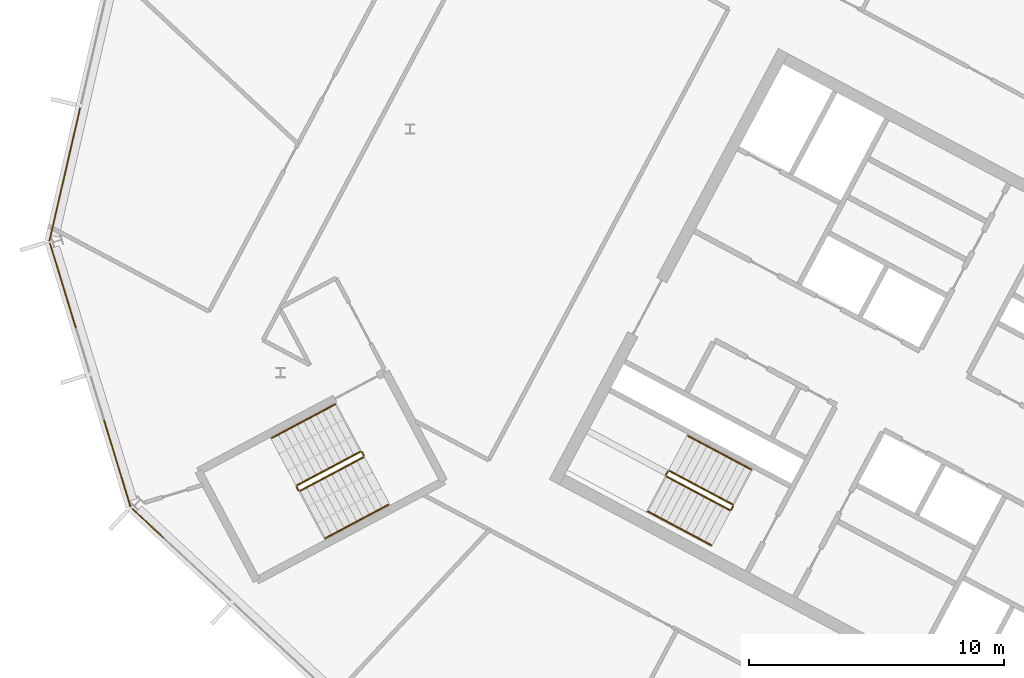
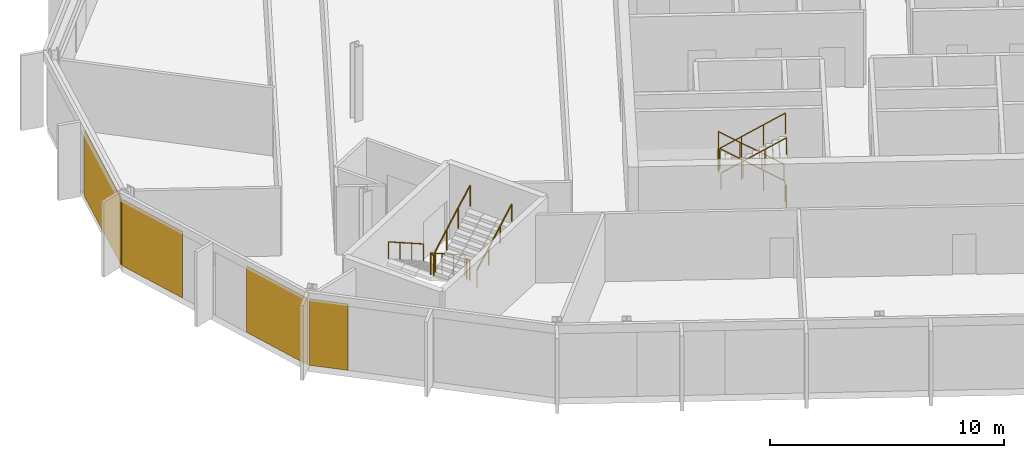
# One storey, part 21 of 26: 12 railings, 4 coverings, 3 elements without a shape of their own.
"""IFC4 building model written with IfcOpenShell, lengths in metres."""

import ifcopenshell
import ifcopenshell.guid

model = None  # the IFC model being written
_history = None  # IfcOwnerHistory: only IFC2X3 demands one
_inside = {}  # id of a spatial element -> (the spatial element, [elements in it])
_under = {}  # id of a project, library or spatial element -> (it, [spatial elements below it])
_declared = {}  # id of a project -> (the project, [libraries it declares])
_typed = {}  # id of a type object -> (the type object, [elements of that type])
_made_of = {}  # id of a material, layer set ... -> (it, [elements and type objects made of it])


def new_model(schema):
    """Start an empty IFC model of exactly this schema.

    Asked for "IFC4X3", IfcOpenShell would pick the latest addendum, in which some entities
    have other attributes; the version numbers below select the first issue.
    IFC2X3 requires an IfcOwnerHistory on every rooted entity: one is made here for all.
    """
    global model, _history
    if schema == "IFC4X3":
        model = ifcopenshell.file(schema_version=(4, 3, 0, 0))
    else:
        model = ifcopenshell.file(schema=schema)
    _inside.clear()
    _under.clear()
    _declared.clear()
    _typed.clear()
    _made_of.clear()
    _history = None
    if model.schema == "IFC2X3":
        org = make("IfcOrganization", Name="unknown")
        user = make(
            "IfcPersonAndOrganization",
            ThePerson=make("IfcPerson", FamilyName="unknown"),
            TheOrganization=org,
        )
        app = make(
            "IfcApplication",
            ApplicationDeveloper=org,
            Version="unknown",
            ApplicationFullName="unknown",
            ApplicationIdentifier="unknown",
        )
        _history = make(
            "IfcOwnerHistory",
            OwningUser=user,
            OwningApplication=app,
            ChangeAction="ADDED",
            CreationDate=0,
        )
    return model


def make(cls, **values):
    """One entity of the class cls with the attributes given. An attribute that is None is left unset."""
    return model.create_entity(
        cls, **{name: value for name, value in values.items() if value is not None}
    )


def rooted(cls, **values):
    """An entity with a GlobalId (a new one), such as an element, a storey or a relation."""
    return make(cls, GlobalId=ifcopenshell.guid.new(), OwnerHistory=_history, **values)


def si_unit(unit_type, name, prefix=None):
    """IfcSIUnit, for example si_unit("LENGTHUNIT", "METRE", prefix="MILLI")."""
    return make("IfcSIUnit", UnitType=unit_type, Prefix=prefix, Name=name)


def assignment(units):
    """IfcUnitAssignment: the units of a project."""
    return None if units is None else make("IfcUnitAssignment", Units=units)


def point(xyz):
    """IfcCartesianPoint."""
    return None if xyz is None else make("IfcCartesianPoint", Coordinates=xyz)


def direction(xyz):
    """IfcDirection."""
    return None if xyz is None else make("IfcDirection", DirectionRatios=xyz)


def frame(location, z_axis=None, x_axis=None):
    """IfcAxis2Placement3D, a coordinate frame: its origin and axes. An axis left out is left unset."""
    return make(
        "IfcAxis2Placement3D",
        Location=point(location),
        Axis=direction(z_axis),
        RefDirection=direction(x_axis),
    )


def frame_2d(location, x_axis=None):
    """IfcAxis2Placement2D, a coordinate frame in the plane: its origin and x axis."""
    return make(
        "IfcAxis2Placement2D", Location=point(location), RefDirection=direction(x_axis)
    )


def origin():
    """The frame at (0, 0, 0) with its axes left unset."""
    return frame((0.0, 0.0, 0.0))


def origin_2d():
    """The frame at (0, 0) in the plane with its x axis left unset."""
    return frame_2d((0.0, 0.0))


def place(relative_to, where):
    """IfcLocalPlacement: puts the frame where relative to a parent placement (None: the world)."""
    return make(
        "IfcLocalPlacement", PlacementRelTo=relative_to, RelativePlacement=where
    )


def context(
    kind, dimensions, precision=None, world=None, true_north=None, identifier=None
):
    """IfcGeometricRepresentationContext, for example the 3D "Model" context."""
    return make(
        "IfcGeometricRepresentationContext",
        ContextIdentifier=identifier,
        ContextType=kind,
        CoordinateSpaceDimension=dimensions,
        Precision=precision,
        WorldCoordinateSystem=world,
        TrueNorth=true_north,
    )


def subcontext(parent, identifier, kind, view, scale=None):
    """IfcGeometricRepresentationSubContext, for example "Body" below "Model"."""
    return make(
        "IfcGeometricRepresentationSubContext",
        ContextIdentifier=identifier,
        ContextType=kind,
        ParentContext=parent,
        TargetScale=scale,
        TargetView=view,
    )


def project(units=None, contexts=None):
    """IfcProject with its units and contexts."""
    return rooted(
        "IfcProject",
        Name="project",
        RepresentationContexts=contexts,
        UnitsInContext=assignment(units),
    )


def spatial(cls, under=None, at=None, **own):
    """A site, building, storey or space (cls), placed at a placement, below another one or the project."""
    s = rooted(cls, ObjectPlacement=at, **own)
    if under is not None:
        _under.setdefault(under.id(), (under, []))[1].append(s)
    return s


def polyline(points):
    """IfcPolyline through the points."""
    return make("IfcPolyline", Points=[point(p) for p in points])


def profile(cls, at=None, kind="AREA", **sizes):
    """A parametric profile (cls). Its sizes go by their IFC names, for example OverallWidth=200.0."""
    return make(cls, ProfileType=kind, Position=at, **sizes)


def rectangle(**sizes):
    """IfcRectangleProfileDef."""
    return profile("IfcRectangleProfileDef", **sizes)


def outline(outer, holes=None, kind="AREA"):
    """IfcArbitraryClosedProfileDef: a profile drawn as a closed curve; with holes, ...WithVoids."""
    if holes is None:
        return make("IfcArbitraryClosedProfileDef", ProfileType=kind, OuterCurve=outer)
    return make(
        "IfcArbitraryProfileDefWithVoids",
        ProfileType=kind,
        OuterCurve=outer,
        InnerCurves=holes,
    )


def extrude(swept, where, along, depth):
    """IfcExtrudedAreaSolid: the profile swept, set in the frame where, extruded along a direction by depth."""
    return make(
        "IfcExtrudedAreaSolid",
        SweptArea=swept,
        Position=where,
        ExtrudedDirection=direction(along),
        Depth=depth,
    )


def shape(context_of_items, identifier, shape_type, items):
    """IfcShapeRepresentation: the items that make up one representation, for example the "Body"."""
    return make(
        "IfcShapeRepresentation",
        ContextOfItems=context_of_items,
        RepresentationIdentifier=identifier,
        RepresentationType=shape_type,
        Items=items,
    )


def material(Name=None, Category=None):
    """IfcMaterial."""
    return make("IfcMaterial", Name=Name, Category=Category)


def layer(
    of_material, thickness, ventilated=None, Name=None, Category=None, Priority=None
):
    """IfcMaterialLayer: one layer of a wall or slab, of a material (None: an air gap)."""
    return make(
        "IfcMaterialLayer",
        Material=of_material,
        LayerThickness=thickness,
        IsVentilated=ventilated,
        Name=Name,
        Category=Category,
        Priority=Priority,
    )


def layer_set(layers, Name=None):
    """IfcMaterialLayerSet."""
    return make("IfcMaterialLayerSet", MaterialLayers=layers, LayerSetName=Name)


def made_of(thing, what):
    """Note that an element or type object is made of a material, layer set ...; save() writes the relation."""
    if what is not None:
        _made_of.setdefault(what.id(), (what, []))[1].append(thing)
    return thing


def type_object(cls, material=None, **own):
    """A type object (cls), such as IfcWallType, which elements share."""
    return made_of(rooted(cls, **own), material)


def element(
    cls,
    number,
    at=None,
    inside=None,
    cuts=None,
    type_object=None,
    material=None,
    context=None,
    identifier="Body",
    shape_type=None,
    held_by="IfcProductDefinitionShape",
    body=None,
    shapes=None,
    **own,
):
    """One element of the class cls, such as IfcWall. Its Tag is "e" and its number.

    at: its placement. inside: the storey or other place that contains it. cuts: it is an
    opening in that element (IfcRelVoidsElement). A single representation is given by context,
    identifier, shape_type and body (its items); several are given by shapes. held_by: the class
    of the entity that holds the representations. save() writes the other relations.
    """
    e = rooted(cls, Tag="e%d" % number, ObjectPlacement=at, **own)
    if body is not None:
        shapes = [shape(context, identifier, shape_type, body)]
    if shapes is not None:
        e.Representation = make(held_by, Representations=shapes)
    if inside is not None:
        _inside.setdefault(inside.id(), (inside, []))[1].append(e)
    if cuts is not None:
        rooted(
            "IfcRelVoidsElement", RelatingBuildingElement=cuts, RelatedOpeningElement=e
        )
    if type_object is not None:
        _typed.setdefault(type_object.id(), (type_object, []))[1].append(e)
    return made_of(e, material)


def aggregate(whole, parts):
    """IfcRelAggregates: a whole, such as a stair, and the parts it consists of."""
    return rooted("IfcRelAggregates", RelatingObject=whole, RelatedObjects=parts)


def save(model, path):
    """Write the relations noted so far, then the file.

    IfcRelAggregates (storeys below a building ...), IfcRelContainedInSpatialStructure (elements
    in a storey), IfcRelDefinesByType, IfcRelAssociatesMaterial and IfcRelDeclares: one each for
    every whole, place, type object, material and project.
    """
    for whole, parts in _under.values():
        aggregate(whole, parts)
    for where, things in _inside.values():
        rooted(
            "IfcRelContainedInSpatialStructure",
            RelatedElements=things,
            RelatingStructure=where,
        )
    for kind, things in _typed.values():
        rooted("IfcRelDefinesByType", RelatedObjects=things, RelatingType=kind)
    for what, things in _made_of.values():
        rooted("IfcRelAssociatesMaterial", RelatedObjects=things, RelatingMaterial=what)
    for by, libraries in _declared.values():
        rooted("IfcRelDeclares", RelatingContext=by, RelatedDefinitions=libraries)
    model.write(path)


model = new_model("IFC4")

# Units and contexts
model_context = context("Model", 3, precision=1e-05, world=origin(), true_north=direction((0.0, 1.0)))
body_context = subcontext(model_context, "Body", "Model", "MODEL_VIEW")
ifc_project = project(units=[si_unit("LENGTHUNIT", "METRE"), si_unit("AREAUNIT", "SQUARE_METRE"), si_unit("VOLUMEUNIT", "CUBIC_METRE"), si_unit("PLANEANGLEUNIT", "RADIAN"), si_unit("MASSUNIT", "GRAM", prefix="KILO")], contexts=[model_context])

# Site, building, storey
site_placement = place(None, origin())
site = spatial("IfcSite", under=ifc_project, at=site_placement, CompositionType="ELEMENT")
building_placement = place(site_placement, origin())
building = spatial("IfcBuilding", under=site, at=building_placement, Name="Cormorant Relay Tower", CompositionType="ELEMENT")
storey_placement = place(building_placement, frame((0.0, 0.0, 300.89990234375)))
storey = spatial("IfcBuildingStorey", under=building, at=storey_placement, Name="L68", CompositionType="ELEMENT", Elevation=300.89990234375)

# Curtain wall, covering
ifc_material_1 = material(Name="Aluminium 6063-T6 anodised bronze", Category="aluminium")
ifc_layer_1 = layer(ifc_material_1, 0.199951171875)
ifc_layer_set_1 = layer_set([ifc_layer_1], Name="CW1 unitised bronze curtain wall with vertical fins")
curtain_wall_type = type_object("IfcCurtainWallType", Name="CW1 unitised bronze curtain wall with vertical fins", PredefinedType="NOTDEFINED", material=ifc_layer_set_1)
curtain_wall_1_placement = place(storey_placement, origin())
curtain_wall_1 = element("IfcCurtainWall", 1, at=curtain_wall_1_placement, inside=storey, type_object=curtain_wall_type, Name="CW1 curtain wall 13", PredefinedType="NOTDEFINED")
ifc_material_2 = material(Name="Pale bronze anodised aluminium insulated panel", Category="aluminium")
ifc_layer_2 = layer(ifc_material_2, 0.0400390625)
ifc_layer_set_2 = layer_set([ifc_layer_2], Name="CW1 pale bronze insulated panel 40")
covering_type = type_object("IfcCoveringType", Name="CW1 pale bronze insulated panel 40", PredefinedType="CLADDING", material=ifc_layer_set_2)
covering_1_placement = place(storey_placement, frame((-60.136474609375, 23.00927734375, 0.0), z_axis=(0.0, 0.0, 1.0), x_axis=(-0.224951054344, -0.974370064785, 0.0)))
covering_1 = element("IfcCovering", 2, at=covering_1_placement, type_object=covering_type, Name="CW1 panel S01", PredefinedType="CLADDING", context=body_context, shape_type="SweptSolid", body=[
    extrude(rectangle(XDim=5.360107421875, YDim=0.0400390625, at=origin_2d()), origin(), (0.0, 0.0, 1.0), 3.449951171875),
])
aggregate(curtain_wall_1, [covering_1])

# Curtain wall, coverings
curtain_wall_2_placement = place(storey_placement, origin())
curtain_wall_2 = element("IfcCurtainWall", 3, at=curtain_wall_2_placement, inside=storey, type_object=curtain_wall_type, Name="CW1 curtain wall 14", PredefinedType="NOTDEFINED")
covering_2_placement = place(storey_placement, frame((-60.20751953125, 18.6494140625, 0.0), z_axis=(0.0, 0.0, 1.0), x_axis=(0.292371704723, -0.956304755963, 0.0)))
covering_2 = element("IfcCovering", 4, at=covering_2_placement, type_object=covering_type, Name="CW1 panel S00", PredefinedType="CLADDING", context=body_context, shape_type="SweptSolid", body=[
    extrude(rectangle(XDim=3.485107421875, YDim=0.0400390625, at=origin_2d()), origin(), (0.0, 0.0, 1.0), 3.449951171875),
])
covering_3_placement = place(storey_placement, frame((-58.081298828125, 11.6943359375, 0.0), z_axis=(0.0, 0.0, 1.0), x_axis=(0.292371704723, -0.956304755963, 0.0)))
covering_3 = element("IfcCovering", 5, at=covering_3_placement, type_object=covering_type, Name="CW1 panel S03", PredefinedType="CLADDING", context=body_context, shape_type="SweptSolid", body=[
    extrude(rectangle(XDim=3.560302734375, YDim=0.0400390625, at=origin_2d()), origin(), (0.0, 0.0, 1.0), 3.449951171875),
])
aggregate(curtain_wall_2, [covering_2, covering_3])

# Curtain wall, covering
curtain_wall_3_placement = place(storey_placement, origin())
curtain_wall_3 = element("IfcCurtainWall", 6, at=curtain_wall_3_placement, inside=storey, type_object=curtain_wall_type, Name="CW1 curtain wall 15", PredefinedType="NOTDEFINED")
covering_4_placement = place(storey_placement, frame((-56.88427734375, 9.357421875, 0.0), z_axis=(0.0, 0.0, 1.0), x_axis=(0.731353701619, -0.681998360062, 0.0)))
covering_4 = element("IfcCovering", 7, at=covering_4_placement, type_object=covering_type, Name="CW1 panel S00", PredefinedType="CLADDING", context=body_context, shape_type="SweptSolid", body=[
    extrude(rectangle(XDim=1.685302734375, YDim=0.0400390625, at=origin_2d()), origin(), (0.0, 0.0, 1.0), 3.449951171875),
])
aggregate(curtain_wall_3, [covering_4])

# Railings
ifc_material_3 = material(Name="Steel ASTM A572 Grade 50 (Fy 345 MPa)", Category="steel")
railing_type_1 = type_object("IfcRailingType", Name="Stair guard 1100", PredefinedType="GUARDRAIL", material=ifc_material_3)
railing_1_placement = place(storey_placement, frame((-33.9921875, 10.08935546875, 0.177490234375)))
element("IfcRailing", 8, at=railing_1_placement, inside=storey, type_object=railing_type_1, Name="L68 A2 stair guard 1", PredefinedType="GUARDRAIL", context=body_context, shape_type="SweptSolid", body=[
    extrude(outline(polyline([(0.022216796875, 0.00927734375), (0.00927734375, 0.022216796875), (-0.00927734375, 0.022216796875), (-0.022216796875, 0.00927734375), (-0.022216796875, -0.00927734375), (-0.00927734375, -0.022216796875), (0.00927734375, -0.022216796875), (0.022216796875, -0.00927734375), (0.022216796875, 0.00927734375)])), frame((0.0, 0.0, 1.076171875), z_axis=(-0.746001213114, 0.396649272309, 0.534931345884), x_axis=(-0.469465464807, -0.882950835185, 0.0)), (0.0, 0.0, 1.0), 3.31396484375),
    extrude(outline(polyline([(0.019287109375, 0.008056640625), (0.008056640625, 0.019287109375), (-0.008056640625, 0.019287109375), (-0.019287109375, 0.008056640625), (-0.019287109375, -0.008056640625), (-0.008056640625, -0.019287109375), (0.008056640625, -0.019287109375), (0.019287109375, -0.008056640625), (0.019287109375, 0.008056640625)])), origin(), (0.0, 0.0, 1.0), 1.052001953125),
    extrude(outline(polyline([(0.019287109375, 0.008056640625), (0.008056640625, 0.019287109375), (-0.008056640625, 0.019287109375), (-0.019287109375, 0.008056640625), (-0.019287109375, -0.008056640625), (-0.008056640625, -0.019287109375), (0.008056640625, -0.019287109375), (0.019287109375, -0.008056640625), (0.019287109375, 0.008056640625)])), frame((-0.823974609375, 0.438232421875, 0.5908203125)), (0.0, 0.0, 1.0), 1.052001953125),
    extrude(outline(polyline([(0.019287109375, 0.008056640625), (0.008056640625, 0.019287109375), (-0.008056640625, 0.019287109375), (-0.019287109375, 0.008056640625), (-0.019287109375, -0.008056640625), (-0.008056640625, -0.019287109375), (0.008056640625, -0.019287109375), (0.019287109375, -0.008056640625), (0.019287109375, 0.008056640625)])), frame((-1.648193359375, 0.876220703125, 1.181884765625)), (0.0, 0.0, 1.0), 1.052001953125),
    extrude(outline(polyline([(0.019287109375, 0.008056640625), (0.008056640625, 0.019287109375), (-0.008056640625, 0.019287109375), (-0.019287109375, 0.008056640625), (-0.019287109375, -0.008056640625), (-0.008056640625, -0.019287109375), (0.008056640625, -0.019287109375), (0.019287109375, -0.008056640625), (0.019287109375, 0.008056640625)])), frame((-2.47216796875, 1.314453125, 1.772705078125)), (0.0, 0.0, 1.0), 1.052001953125),
])
railing_2_placement = place(storey_placement, frame((-36.531982421875, 11.38330078125, 1.9501953125)))
element("IfcRailing", 9, at=railing_2_placement, inside=storey, type_object=railing_type_1, Name="L68 A2 stair guard 2", PredefinedType="GUARDRAIL", context=body_context, shape_type="SweptSolid", body=[
    extrude(outline(polyline([(0.022216796875, 0.00927734375), (0.00927734375, 0.022216796875), (-0.00927734375, 0.022216796875), (-0.022216796875, 0.00927734375), (-0.022216796875, -0.00927734375), (-0.00927734375, -0.022216796875), (0.00927734375, -0.022216796875), (0.022216796875, -0.00927734375), (0.022216796875, 0.00927734375)])), frame((0.0, 0.0, 1.076171875), z_axis=(-0.469828648786, -0.882757634224, 0.0), x_axis=(0.882757634224, -0.469828648786, 0.0)), (0.0, 0.0, 1.0), 0.150146484375),
    extrude(outline(polyline([(0.019287109375, 0.008056640625), (0.008056640625, 0.019287109375), (-0.008056640625, 0.019287109375), (-0.019287109375, 0.008056640625), (-0.019287109375, -0.008056640625), (-0.008056640625, -0.019287109375), (0.008056640625, -0.019287109375), (0.019287109375, -0.008056640625), (0.019287109375, 0.008056640625)])), origin(), (0.0, 0.0, 1.0), 1.052001953125),
    extrude(outline(polyline([(0.019287109375, 0.008056640625), (0.008056640625, 0.019287109375), (-0.008056640625, 0.019287109375), (-0.019287109375, 0.008056640625), (-0.019287109375, -0.008056640625), (-0.008056640625, -0.019287109375), (0.008056640625, -0.019287109375), (0.019287109375, -0.008056640625), (0.019287109375, 0.008056640625)])), frame((-0.070556640625, -0.132568359375, 0.0)), (0.0, 0.0, 1.0), 1.052001953125),
])
railing_3_placement = place(storey_placement, frame((-36.581787109375, 11.18310546875, 2.12744140625)))
element("IfcRailing", 10, at=railing_3_placement, inside=storey, type_object=railing_type_1, Name="L68 A2 stair guard 3", PredefinedType="GUARDRAIL", context=body_context, shape_type="SweptSolid", body=[
    extrude(outline(polyline([(0.022216796875, 0.00927734375), (0.00927734375, 0.022216796875), (-0.00927734375, 0.022216796875), (-0.022216796875, 0.00927734375), (-0.022216796875, -0.00927734375), (-0.00927734375, -0.022216796875), (0.00927734375, -0.022216796875), (0.022216796875, -0.00927734375), (0.022216796875, 0.00927734375)])), frame((0.0, 0.0, 1.076171875), z_axis=(0.746001213114, -0.396649272309, 0.534931345884), x_axis=(0.469465464807, 0.882950835185, 0.0)), (0.0, 0.0, 1.0), 3.31396484375),
    extrude(outline(polyline([(0.019287109375, 0.008056640625), (0.008056640625, 0.019287109375), (-0.008056640625, 0.019287109375), (-0.019287109375, 0.008056640625), (-0.019287109375, -0.008056640625), (-0.008056640625, -0.019287109375), (0.008056640625, -0.019287109375), (0.019287109375, -0.008056640625), (0.019287109375, 0.008056640625)])), origin(), (0.0, 0.0, 1.0), 1.052001953125),
    extrude(outline(polyline([(0.019287109375, 0.008056640625), (0.008056640625, 0.019287109375), (-0.008056640625, 0.019287109375), (-0.019287109375, 0.008056640625), (-0.019287109375, -0.008056640625), (-0.008056640625, -0.019287109375), (0.008056640625, -0.019287109375), (0.019287109375, -0.008056640625), (0.019287109375, 0.008056640625)])), frame((0.823974609375, -0.438232421875, 0.5908203125)), (0.0, 0.0, 1.0), 1.052001953125),
    extrude(outline(polyline([(0.019287109375, 0.008056640625), (0.008056640625, 0.019287109375), (-0.008056640625, 0.019287109375), (-0.019287109375, 0.008056640625), (-0.019287109375, -0.008056640625), (-0.008056640625, -0.019287109375), (0.008056640625, -0.019287109375), (0.019287109375, -0.008056640625), (0.019287109375, 0.008056640625)])), frame((1.648193359375, -0.876220703125, 1.181884765625)), (0.0, 0.0, 1.0), 1.052001953125),
    extrude(outline(polyline([(0.019287109375, 0.008056640625), (0.008056640625, 0.019287109375), (-0.008056640625, 0.019287109375), (-0.019287109375, 0.008056640625), (-0.019287109375, -0.008056640625), (-0.008056640625, -0.019287109375), (0.008056640625, -0.019287109375), (0.019287109375, -0.008056640625), (0.019287109375, 0.008056640625)])), frame((2.47216796875, -1.314453125, 1.772705078125)), (0.0, 0.0, 1.0), 1.052001953125),
])
railing_4_placement = place(storey_placement, frame((-33.971435546875, 10.021728515625, 0.0)))
element("IfcRailing", 11, at=railing_4_placement, inside=storey, type_object=railing_type_1, Name="L68 A2 stair guard 4", PredefinedType="GUARDRAIL", context=body_context, shape_type="SweptSolid", body=[
    extrude(outline(polyline([(0.022216796875, 0.00927734375), (0.00927734375, 0.022216796875), (-0.00927734375, 0.022216796875), (-0.022216796875, 0.00927734375), (-0.022216796875, -0.00927734375), (-0.00927734375, -0.022216796875), (0.00927734375, -0.022216796875), (0.022216796875, -0.00927734375), (0.022216796875, 0.00927734375)])), frame((0.0, 0.0, 1.076171875), z_axis=(-0.470503732759, -0.882398003998, 0.0), x_axis=(0.882398003998, -0.470503732759, 0.0)), (0.0, 0.0, 1.0), 0.14990234375),
    extrude(outline(polyline([(0.019287109375, 0.008056640625), (0.008056640625, 0.019287109375), (-0.008056640625, 0.019287109375), (-0.019287109375, 0.008056640625), (-0.019287109375, -0.008056640625), (-0.008056640625, -0.019287109375), (0.008056640625, -0.019287109375), (0.019287109375, -0.008056640625), (0.019287109375, 0.008056640625)])), origin(), (0.0, 0.0, 1.0), 1.052001953125),
    extrude(outline(polyline([(0.019287109375, 0.008056640625), (0.008056640625, 0.019287109375), (-0.008056640625, 0.019287109375), (-0.019287109375, 0.008056640625), (-0.019287109375, -0.008056640625), (-0.008056640625, -0.019287109375), (0.008056640625, -0.019287109375), (0.019287109375, -0.008056640625), (0.019287109375, 0.008056640625)])), frame((-0.070556640625, -0.13232421875, 0.0)), (0.0, 0.0, 1.0), 1.052001953125),
])
railing_5_placement = place(storey_placement, frame((-48.5693359375, 12.155517578125, 0.177490234375)))
element("IfcRailing", 12, at=railing_5_placement, inside=storey, type_object=railing_type_1, Name="L68 RP1 stair guard 1", PredefinedType="GUARDRAIL", context=body_context, shape_type="SweptSolid", body=[
    extrude(outline(polyline([(0.022216796875, 0.00927734375), (0.00927734375, 0.022216796875), (-0.00927734375, 0.022216796875), (-0.022216796875, 0.00927734375), (-0.022216796875, -0.00927734375), (-0.00927734375, -0.022216796875), (0.00927734375, -0.022216796875), (0.022216796875, -0.00927734375), (0.022216796875, 0.00927734375)])), frame((0.0, 0.0, 1.076171875), z_axis=(-0.746012083385, -0.396689549623, 0.534886317514), x_axis=(0.469497295046, -0.882933910293, 0.0)), (0.0, 0.0, 1.0), 3.314208984375),
    extrude(outline(polyline([(0.019287109375, 0.008056640625), (0.008056640625, 0.019287109375), (-0.008056640625, 0.019287109375), (-0.019287109375, 0.008056640625), (-0.019287109375, -0.008056640625), (-0.008056640625, -0.019287109375), (0.008056640625, -0.019287109375), (0.019287109375, -0.008056640625), (0.019287109375, 0.008056640625)])), origin(), (0.0, 0.0, 1.0), 1.052001953125),
    extrude(outline(polyline([(0.019287109375, 0.008056640625), (0.008056640625, 0.019287109375), (-0.008056640625, 0.019287109375), (-0.019287109375, 0.008056640625), (-0.019287109375, -0.008056640625), (-0.008056640625, -0.019287109375), (0.008056640625, -0.019287109375), (0.019287109375, -0.008056640625), (0.019287109375, 0.008056640625)])), frame((-0.82421875, -0.438232421875, 0.5908203125)), (0.0, 0.0, 1.0), 1.052001953125),
    extrude(outline(polyline([(0.019287109375, 0.008056640625), (0.008056640625, 0.019287109375), (-0.008056640625, 0.019287109375), (-0.019287109375, 0.008056640625), (-0.019287109375, -0.008056640625), (-0.008056640625, -0.019287109375), (0.008056640625, -0.019287109375), (0.019287109375, -0.008056640625), (0.019287109375, 0.008056640625)])), frame((-1.648193359375, -0.87646484375, 1.181884765625)), (0.0, 0.0, 1.0), 1.052001953125),
    extrude(outline(polyline([(0.019287109375, 0.008056640625), (0.008056640625, 0.019287109375), (-0.008056640625, 0.019287109375), (-0.019287109375, 0.008056640625), (-0.019287109375, -0.008056640625), (-0.008056640625, -0.019287109375), (0.008056640625, -0.019287109375), (0.019287109375, -0.008056640625), (0.019287109375, 0.008056640625)])), frame((-2.472412109375, -1.314697265625, 1.772705078125)), (0.0, 0.0, 1.0), 1.052001953125),
])
railing_6_placement = place(storey_placement, frame((-51.062255859375, 10.773193359375, 1.9501953125)))
element("IfcRailing", 13, at=railing_6_placement, inside=storey, type_object=railing_type_1, Name="L68 RP1 stair guard 2", PredefinedType="GUARDRAIL", context=body_context, shape_type="SweptSolid", body=[
    extrude(outline(polyline([(0.022216796875, 0.00927734375), (0.00927734375, 0.022216796875), (-0.00927734375, 0.022216796875), (-0.022216796875, 0.00927734375), (-0.022216796875, -0.00927734375), (-0.00927734375, -0.022216796875), (0.00927734375, -0.022216796875), (0.022216796875, -0.00927734375), (0.022216796875, 0.00927734375)])), frame((0.0, 0.0, 1.076171875), z_axis=(0.469234640946, -0.883073525669, 0.0), x_axis=(0.883073525669, 0.469234640946, 0.0)), (0.0, 0.0, 1.0), 0.14990234375),
    extrude(outline(polyline([(0.019287109375, 0.008056640625), (0.008056640625, 0.019287109375), (-0.008056640625, 0.019287109375), (-0.019287109375, 0.008056640625), (-0.019287109375, -0.008056640625), (-0.008056640625, -0.019287109375), (0.008056640625, -0.019287109375), (0.019287109375, -0.008056640625), (0.019287109375, 0.008056640625)])), origin(), (0.0, 0.0, 1.0), 1.052001953125),
    extrude(outline(polyline([(0.019287109375, 0.008056640625), (0.008056640625, 0.019287109375), (-0.008056640625, 0.019287109375), (-0.019287109375, 0.008056640625), (-0.019287109375, -0.008056640625), (-0.008056640625, -0.019287109375), (0.008056640625, -0.019287109375), (0.019287109375, -0.008056640625), (0.019287109375, 0.008056640625)])), frame((0.0703125, -0.13232421875, 0.0)), (0.0, 0.0, 1.0), 1.052001953125),
])
railing_7_placement = place(storey_placement, frame((-50.92431640625, 10.6201171875, 2.12744140625)))
element("IfcRailing", 14, at=railing_7_placement, inside=storey, type_object=railing_type_1, Name="L68 RP1 stair guard 3", PredefinedType="GUARDRAIL", context=body_context, shape_type="SweptSolid", body=[
    extrude(outline(polyline([(0.022216796875, 0.00927734375), (0.00927734375, 0.022216796875), (-0.00927734375, 0.022216796875), (-0.022216796875, 0.00927734375), (-0.022216796875, -0.00927734375), (-0.00927734375, -0.022216796875), (0.00927734375, -0.022216796875), (0.022216796875, -0.00927734375), (0.022216796875, 0.00927734375)])), frame((0.0, 0.0, 1.076171875), z_axis=(0.746033882577, 0.396627473466, 0.534901947407), x_axis=(-0.469429322983, 0.882970050864, 0.0)), (0.0, 0.0, 1.0), 3.31396484375),
    extrude(outline(polyline([(0.019287109375, 0.008056640625), (0.008056640625, 0.019287109375), (-0.008056640625, 0.019287109375), (-0.019287109375, 0.008056640625), (-0.019287109375, -0.008056640625), (-0.008056640625, -0.019287109375), (0.008056640625, -0.019287109375), (0.019287109375, -0.008056640625), (0.019287109375, 0.008056640625)])), origin(), (0.0, 0.0, 1.0), 1.052001953125),
    extrude(outline(polyline([(0.019287109375, 0.008056640625), (0.008056640625, 0.019287109375), (-0.008056640625, 0.019287109375), (-0.019287109375, 0.008056640625), (-0.019287109375, -0.008056640625), (-0.008056640625, -0.019287109375), (0.008056640625, -0.019287109375), (0.019287109375, -0.008056640625), (0.019287109375, 0.008056640625)])), frame((0.82421875, 0.438232421875, 0.5908203125)), (0.0, 0.0, 1.0), 1.052001953125),
    extrude(outline(polyline([(0.019287109375, 0.008056640625), (0.008056640625, 0.019287109375), (-0.008056640625, 0.019287109375), (-0.019287109375, 0.008056640625), (-0.019287109375, -0.008056640625), (-0.008056640625, -0.019287109375), (0.008056640625, -0.019287109375), (0.019287109375, -0.008056640625), (0.019287109375, 0.008056640625)])), frame((1.648193359375, 0.876220703125, 1.181884765625)), (0.0, 0.0, 1.0), 1.052001953125),
    extrude(outline(polyline([(0.019287109375, 0.008056640625), (0.008056640625, 0.019287109375), (-0.008056640625, 0.019287109375), (-0.019287109375, 0.008056640625), (-0.019287109375, -0.008056640625), (-0.008056640625, -0.019287109375), (0.008056640625, -0.019287109375), (0.019287109375, -0.008056640625), (0.019287109375, 0.008056640625)])), frame((2.472412109375, 1.314453125, 1.772705078125)), (0.0, 0.0, 1.0), 1.052001953125),
])
railing_8_placement = place(storey_placement, frame((-48.501708984375, 12.134765625, 0.0)))
element("IfcRailing", 15, at=railing_8_placement, inside=storey, type_object=railing_type_1, Name="L68 RP1 stair guard 4", PredefinedType="GUARDRAIL", context=body_context, shape_type="SweptSolid", body=[
    extrude(outline(polyline([(0.022216796875, 0.00927734375), (0.00927734375, 0.022216796875), (-0.00927734375, 0.022216796875), (-0.022216796875, 0.00927734375), (-0.022216796875, -0.00927734375), (-0.00927734375, -0.022216796875), (0.00927734375, -0.022216796875), (0.022216796875, -0.00927734375), (0.022216796875, 0.00927734375)])), frame((0.0, 0.0, 1.076171875), z_axis=(0.46856034887, -0.8834314911, 0.0), x_axis=(0.8834314911, 0.46856034887, 0.0)), (0.0, 0.0, 1.0), 0.150146484375),
    extrude(outline(polyline([(0.019287109375, 0.008056640625), (0.008056640625, 0.019287109375), (-0.008056640625, 0.019287109375), (-0.019287109375, 0.008056640625), (-0.019287109375, -0.008056640625), (-0.008056640625, -0.019287109375), (0.008056640625, -0.019287109375), (0.019287109375, -0.008056640625), (0.019287109375, 0.008056640625)])), origin(), (0.0, 0.0, 1.0), 1.052001953125),
    extrude(outline(polyline([(0.019287109375, 0.008056640625), (0.008056640625, 0.019287109375), (-0.008056640625, 0.019287109375), (-0.019287109375, 0.008056640625), (-0.019287109375, -0.008056640625), (-0.008056640625, -0.019287109375), (0.008056640625, -0.019287109375), (0.019287109375, -0.008056640625), (0.019287109375, 0.008056640625)])), frame((0.0703125, -0.132568359375, 0.0)), (0.0, 0.0, 1.0), 1.052001953125),
])
ifc_material_4 = material(Name="Steel ASTM A572 Grade 50 (Fy 345 MPa)", Category="steel")
railing_type_2 = type_object("IfcRailingType", Name="Stair handrail 900", PredefinedType="HANDRAIL", material=ifc_material_4)
railing_9_placement = place(storey_placement, frame((-33.264404296875, 11.4580078125, 0.177490234375)))
element("IfcRailing", 16, at=railing_9_placement, inside=storey, type_object=railing_type_2, Name="L68 A2 stair handrail 1", PredefinedType="HANDRAIL", context=body_context, shape_type="SweptSolid", body=[
    extrude(outline(polyline([(0.022216796875, 0.00927734375), (0.00927734375, 0.022216796875), (-0.00927734375, 0.022216796875), (-0.022216796875, 0.00927734375), (-0.022216796875, -0.00927734375), (-0.00927734375, -0.022216796875), (0.00927734375, -0.022216796875), (0.022216796875, -0.00927734375), (0.022216796875, 0.00927734375)])), frame((0.0, 0.0, 0.8759765625), z_axis=(-0.746033882577, 0.396627473466, 0.534901947407), x_axis=(-0.469429322983, -0.882970050864, 0.0)), (0.0, 0.0, 1.0), 3.31396484375),
    extrude(outline(polyline([(0.019287109375, 0.008056640625), (0.008056640625, 0.019287109375), (-0.008056640625, 0.019287109375), (-0.019287109375, 0.008056640625), (-0.019287109375, -0.008056640625), (-0.008056640625, -0.019287109375), (0.008056640625, -0.019287109375), (0.019287109375, -0.008056640625), (0.019287109375, 0.008056640625)])), origin(), (0.0, 0.0, 1.0), 0.851806640625),
    extrude(outline(polyline([(0.019287109375, 0.008056640625), (0.008056640625, 0.019287109375), (-0.008056640625, 0.019287109375), (-0.019287109375, 0.008056640625), (-0.019287109375, -0.008056640625), (-0.008056640625, -0.019287109375), (0.008056640625, -0.019287109375), (0.019287109375, -0.008056640625), (0.019287109375, 0.008056640625)])), frame((-0.82421875, 0.438232421875, 0.5908203125)), (0.0, 0.0, 1.0), 0.851806640625),
    extrude(outline(polyline([(0.019287109375, 0.008056640625), (0.008056640625, 0.019287109375), (-0.008056640625, 0.019287109375), (-0.019287109375, 0.008056640625), (-0.019287109375, -0.008056640625), (-0.008056640625, -0.019287109375), (0.008056640625, -0.019287109375), (0.019287109375, -0.008056640625), (0.019287109375, 0.008056640625)])), frame((-1.648193359375, 0.876220703125, 1.181884765625)), (0.0, 0.0, 1.0), 0.851806640625),
    extrude(outline(polyline([(0.019287109375, 0.008056640625), (0.008056640625, 0.019287109375), (-0.008056640625, 0.019287109375), (-0.019287109375, 0.008056640625), (-0.019287109375, -0.008056640625), (-0.008056640625, -0.019287109375), (0.008056640625, -0.019287109375), (0.019287109375, -0.008056640625), (0.019287109375, 0.008056640625)])), frame((-2.472412109375, 1.314453125, 1.772705078125)), (0.0, 0.0, 1.0), 0.851806640625),
])
railing_10_placement = place(storey_placement, frame((-37.3095703125, 9.814453125, 2.12744140625)))
element("IfcRailing", 17, at=railing_10_placement, inside=storey, type_object=railing_type_2, Name="L68 A2 stair handrail 2", PredefinedType="HANDRAIL", context=body_context, shape_type="SweptSolid", body=[
    extrude(outline(polyline([(0.022216796875, 0.00927734375), (0.00927734375, 0.022216796875), (-0.00927734375, 0.022216796875), (-0.022216796875, 0.00927734375), (-0.022216796875, -0.00927734375), (-0.00927734375, -0.022216796875), (0.00927734375, -0.022216796875), (0.022216796875, -0.00927734375), (0.022216796875, 0.00927734375)])), frame((0.0, 0.0, 0.8759765625), z_axis=(0.746033882577, -0.396627473466, 0.534901947407), x_axis=(0.469429322983, 0.882970050864, 0.0)), (0.0, 0.0, 1.0), 3.31396484375),
    extrude(outline(polyline([(0.019287109375, 0.008056640625), (0.008056640625, 0.019287109375), (-0.008056640625, 0.019287109375), (-0.019287109375, 0.008056640625), (-0.019287109375, -0.008056640625), (-0.008056640625, -0.019287109375), (0.008056640625, -0.019287109375), (0.019287109375, -0.008056640625), (0.019287109375, 0.008056640625)])), origin(), (0.0, 0.0, 1.0), 0.851806640625),
    extrude(outline(polyline([(0.019287109375, 0.008056640625), (0.008056640625, 0.019287109375), (-0.008056640625, 0.019287109375), (-0.019287109375, 0.008056640625), (-0.019287109375, -0.008056640625), (-0.008056640625, -0.019287109375), (0.008056640625, -0.019287109375), (0.019287109375, -0.008056640625), (0.019287109375, 0.008056640625)])), frame((0.82421875, -0.438232421875, 0.5908203125)), (0.0, 0.0, 1.0), 0.851806640625),
    extrude(outline(polyline([(0.019287109375, 0.008056640625), (0.008056640625, 0.019287109375), (-0.008056640625, 0.019287109375), (-0.019287109375, 0.008056640625), (-0.019287109375, -0.008056640625), (-0.008056640625, -0.019287109375), (0.008056640625, -0.019287109375), (0.019287109375, -0.008056640625), (0.019287109375, 0.008056640625)])), frame((1.648193359375, -0.876220703125, 1.181884765625)), (0.0, 0.0, 1.0), 0.851806640625),
    extrude(outline(polyline([(0.019287109375, 0.008056640625), (0.008056640625, 0.019287109375), (-0.008056640625, 0.019287109375), (-0.019287109375, 0.008056640625), (-0.019287109375, -0.008056640625), (-0.008056640625, -0.019287109375), (0.008056640625, -0.019287109375), (0.019287109375, -0.008056640625), (0.019287109375, 0.008056640625)])), frame((2.472412109375, -1.314453125, 1.772705078125)), (0.0, 0.0, 1.0), 0.851806640625),
])
railing_11_placement = place(storey_placement, frame((-49.55517578125, 14.009521484375, 0.177490234375)))
element("IfcRailing", 18, at=railing_11_placement, inside=storey, type_object=railing_type_2, Name="L68 RP1 stair handrail 1", PredefinedType="HANDRAIL", context=body_context, shape_type="SweptSolid", body=[
    extrude(outline(polyline([(0.022216796875, 0.00927734375), (0.00927734375, 0.022216796875), (-0.00927734375, 0.022216796875), (-0.022216796875, 0.00927734375), (-0.022216796875, -0.00927734375), (-0.00927734375, -0.022216796875), (0.00927734375, -0.022216796875), (0.022216796875, -0.00927734375), (0.022216796875, 0.00927734375)])), frame((0.0, 0.0, 0.8759765625), z_axis=(-0.746033882577, -0.396627473466, 0.534901947407), x_axis=(0.469429322983, -0.882970050864, 0.0)), (0.0, 0.0, 1.0), 3.31396484375),
    extrude(outline(polyline([(0.019287109375, 0.008056640625), (0.008056640625, 0.019287109375), (-0.008056640625, 0.019287109375), (-0.019287109375, 0.008056640625), (-0.019287109375, -0.008056640625), (-0.008056640625, -0.019287109375), (0.008056640625, -0.019287109375), (0.019287109375, -0.008056640625), (0.019287109375, 0.008056640625)])), origin(), (0.0, 0.0, 1.0), 0.851806640625),
    extrude(outline(polyline([(0.019287109375, 0.008056640625), (0.008056640625, 0.019287109375), (-0.008056640625, 0.019287109375), (-0.019287109375, 0.008056640625), (-0.019287109375, -0.008056640625), (-0.008056640625, -0.019287109375), (0.008056640625, -0.019287109375), (0.019287109375, -0.008056640625), (0.019287109375, 0.008056640625)])), frame((-0.82421875, -0.438232421875, 0.5908203125)), (0.0, 0.0, 1.0), 0.851806640625),
    extrude(outline(polyline([(0.019287109375, 0.008056640625), (0.008056640625, 0.019287109375), (-0.008056640625, 0.019287109375), (-0.019287109375, 0.008056640625), (-0.019287109375, -0.008056640625), (-0.008056640625, -0.019287109375), (0.008056640625, -0.019287109375), (0.019287109375, -0.008056640625), (0.019287109375, 0.008056640625)])), frame((-1.648193359375, -0.876220703125, 1.181884765625)), (0.0, 0.0, 1.0), 0.851806640625),
    extrude(outline(polyline([(0.019287109375, 0.008056640625), (0.008056640625, 0.019287109375), (-0.008056640625, 0.019287109375), (-0.019287109375, 0.008056640625), (-0.019287109375, -0.008056640625), (-0.008056640625, -0.019287109375), (0.008056640625, -0.019287109375), (0.019287109375, -0.008056640625), (0.019287109375, 0.008056640625)])), frame((-2.472412109375, -1.314453125, 1.772705078125)), (0.0, 0.0, 1.0), 0.851806640625),
])
railing_12_placement = place(storey_placement, frame((-49.9384765625, 8.765869140625, 2.12744140625)))
element("IfcRailing", 19, at=railing_12_placement, inside=storey, type_object=railing_type_2, Name="L68 RP1 stair handrail 2", PredefinedType="HANDRAIL", context=body_context, shape_type="SweptSolid", body=[
    extrude(outline(polyline([(0.022216796875, 0.00927734375), (0.00927734375, 0.022216796875), (-0.00927734375, 0.022216796875), (-0.022216796875, 0.00927734375), (-0.022216796875, -0.00927734375), (-0.00927734375, -0.022216796875), (0.00927734375, -0.022216796875), (0.022216796875, -0.00927734375), (0.022216796875, 0.00927734375)])), frame((0.0, 0.0, 0.8759765625), z_axis=(0.746012083385, 0.396689549623, 0.534886317514), x_axis=(-0.469497295046, 0.882933910293, 0.0)), (0.0, 0.0, 1.0), 3.314208984375),
    extrude(outline(polyline([(0.019287109375, 0.008056640625), (0.008056640625, 0.019287109375), (-0.008056640625, 0.019287109375), (-0.019287109375, 0.008056640625), (-0.019287109375, -0.008056640625), (-0.008056640625, -0.019287109375), (0.008056640625, -0.019287109375), (0.019287109375, -0.008056640625), (0.019287109375, 0.008056640625)])), origin(), (0.0, 0.0, 1.0), 0.851806640625),
    extrude(outline(polyline([(0.019287109375, 0.008056640625), (0.008056640625, 0.019287109375), (-0.008056640625, 0.019287109375), (-0.019287109375, 0.008056640625), (-0.019287109375, -0.008056640625), (-0.008056640625, -0.019287109375), (0.008056640625, -0.019287109375), (0.019287109375, -0.008056640625), (0.019287109375, 0.008056640625)])), frame((0.82421875, 0.438232421875, 0.5908203125)), (0.0, 0.0, 1.0), 0.851806640625),
    extrude(outline(polyline([(0.019287109375, 0.008056640625), (0.008056640625, 0.019287109375), (-0.008056640625, 0.019287109375), (-0.019287109375, 0.008056640625), (-0.019287109375, -0.008056640625), (-0.008056640625, -0.019287109375), (0.008056640625, -0.019287109375), (0.019287109375, -0.008056640625), (0.019287109375, 0.008056640625)])), frame((1.648193359375, 0.87646484375, 1.181884765625)), (0.0, 0.0, 1.0), 0.851806640625),
    extrude(outline(polyline([(0.019287109375, 0.008056640625), (0.008056640625, 0.019287109375), (-0.008056640625, 0.019287109375), (-0.019287109375, 0.008056640625), (-0.019287109375, -0.008056640625), (-0.008056640625, -0.019287109375), (0.008056640625, -0.019287109375), (0.019287109375, -0.008056640625), (0.019287109375, 0.008056640625)])), frame((2.472412109375, 1.314697265625, 1.772705078125)), (0.0, 0.0, 1.0), 0.851806640625),
])

save(model, "model.ifc")
